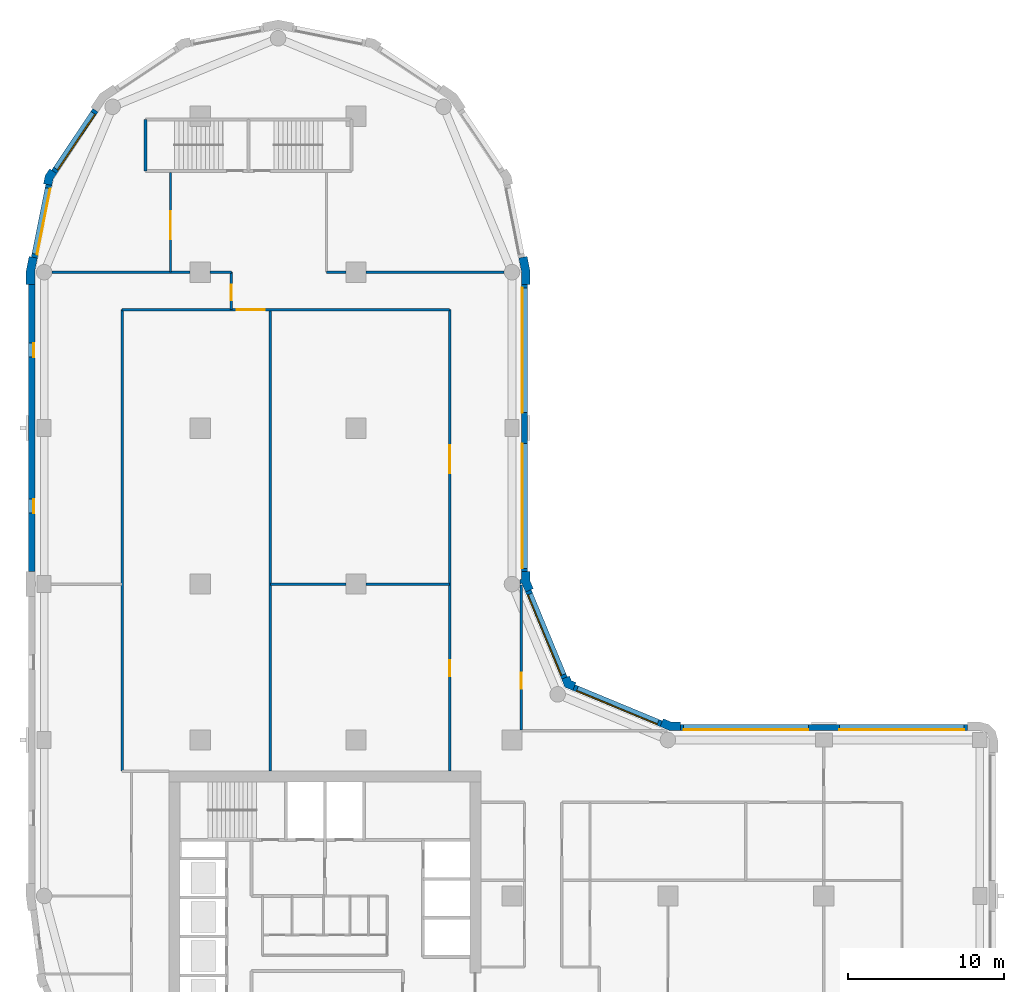
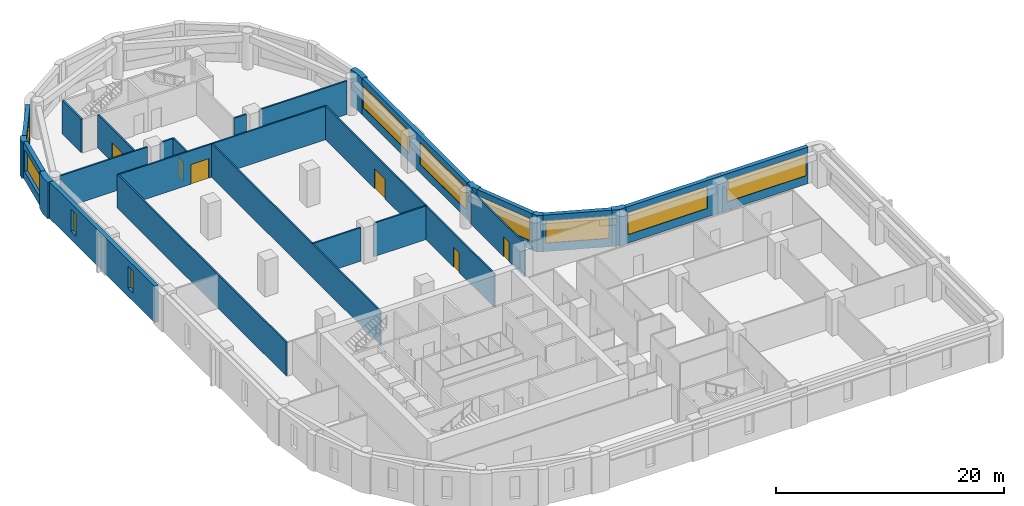
# One storey, part 6 of 10: 27 walls, 10 windows, 6 doors, 16 openings.
"""IFC4 building model written with IfcOpenShell, lengths in metres."""

from ifc_helpers import new_model, si_unit, direction, frame, frame_2d, origin, place, context, subcontext, project, spatial, polyline, rectangle, outline, extrude, material, layer, layer_set, type_object, element, fill, save


model = new_model("IFC4")

# Units and contexts
model_context = context("Model", 3, precision=1e-05, world=origin(), true_north=direction((0.0, 1.0)))
body_context = subcontext(model_context, "Body", "Model", "MODEL_VIEW")
ifc_project = project(units=[si_unit("LENGTHUNIT", "METRE"), si_unit("AREAUNIT", "SQUARE_METRE"), si_unit("VOLUMEUNIT", "CUBIC_METRE"), si_unit("PLANEANGLEUNIT", "RADIAN"), si_unit("MASSUNIT", "GRAM", prefix="KILO")], contexts=[model_context])

# Site, building, storey
site_placement = place(None, origin())
site = spatial("IfcSite", under=ifc_project, at=site_placement, CompositionType="ELEMENT")
building_placement = place(site_placement, origin())
building = spatial("IfcBuilding", under=site, at=building_placement, Name="Qaws Garden Tower", CompositionType="ELEMENT")
storey_placement = place(building_placement, frame((0.0, 0.0, 186.300048828125)))
storey = spatial("IfcBuildingStorey", under=building, at=storey_placement, Name="L45", CompositionType="ELEMENT", Elevation=186.300048828125)

# Wall, openings, windows
ifc_material_1 = material(Name="Clay facing brick masonry", Category="masonry")
ifc_layer_1 = layer(ifc_material_1, 0.39990234375)
ifc_layer_set_1 = layer_set([ifc_layer_1], Name="Clay facing brick masonry")
wall_type_1 = type_object("IfcWallType", Name="Brick infill wall 400", PredefinedType="SOLIDWALL", material=ifc_layer_set_1)
wall_1_placement = place(storey_placement, frame((59.199951171875, 30.800048828125, 0.0), z_axis=(0.0, 0.0, 1.0), x_axis=(-1.0, 0.0, 0.0)))
wall_1 = element("IfcWall", 1, at=wall_1_placement, inside=storey, type_object=wall_type_1, Name="E-L45-infill-07", PredefinedType="SOLIDWALL", context=body_context, shape_type="SweptSolid", body=[
    extrude(rectangle(XDim=18.39990234375, YDim=0.39990234375, at=frame_2d((9.199951171875, 0.0))), origin(), (0.0, 0.0, 1.0), 3.89990234375),
])
opening_1_placement = place(wall_1_placement, frame((0.199951171875, 0.0, 0.89990234375)))
opening_1 = element("IfcOpeningElement", 2, at=opening_1_placement, cuts=wall_1, Name="Opening W01", PredefinedType="OPENING", context=body_context, shape_type="SweptSolid", body=[
    extrude(rectangle(XDim=8.0, YDim=2.35009765625, at=frame_2d((4.0, 1.175048828125))), frame((0.0, 0.2099609375, 0.0), z_axis=(0.0, -1.0, 0.0), x_axis=(1.0, 0.0, 0.0)), (0.0, 0.0, 1.0), 0.419921875),
])
opening_2_placement = place(wall_1_placement, frame((10.199951171875, 0.0, 0.89990234375)))
opening_2 = element("IfcOpeningElement", 3, at=opening_2_placement, cuts=wall_1, Name="Opening W01", PredefinedType="OPENING", context=body_context, shape_type="SweptSolid", body=[
    extrude(rectangle(XDim=8.0, YDim=2.35009765625, at=frame_2d((4.0, 1.175048828125))), frame((0.0, 0.2099609375, 0.0), z_axis=(0.0, -1.0, 0.0), x_axis=(1.0, 0.0, 0.0)), (0.0, 0.0, 1.0), 0.419921875),
])
ifc_material_2 = material(Name="Aluminium framed window, clear glazing", Category="aluminium")
window_type_1 = type_object("IfcWindowType", Name="Ribbon window 8000 x 2350", PartitioningType="DOUBLE_PANEL_VERTICAL", PredefinedType="WINDOW", material=ifc_material_2)
window_1_placement = place(opening_1_placement, origin())
window_1 = element("IfcWindow", 4, at=window_1_placement, inside=storey, type_object=window_type_1, Name="E-L45-window-07-0", OverallHeight=2.35009765625, OverallWidth=8.0, PartitioningType="SINGLE_PANEL", PredefinedType="WINDOW", context=body_context, shape_type="SweptSolid", body=[
    extrude(rectangle(XDim=8.0, YDim=2.35009765625, at=frame_2d((4.0, 1.175048828125))), frame((0.0, 0.159912109375, 0.0), z_axis=(0.0, -1.0, 0.0), x_axis=(1.0, 0.0, 0.0)), (0.0, 0.0, 1.0), 0.06005859375),
])
fill(opening_1, window_1)
window_2_placement = place(opening_2_placement, origin())
window_2 = element("IfcWindow", 5, at=window_2_placement, inside=storey, type_object=window_type_1, Name="E-L45-window-08-0", OverallHeight=2.35009765625, OverallWidth=8.0, PartitioningType="SINGLE_PANEL", PredefinedType="WINDOW", context=body_context, shape_type="SweptSolid", body=[
    extrude(rectangle(XDim=8.0, YDim=2.35009765625, at=frame_2d((4.0, 1.175048828125))), frame((0.0, 0.159912109375, 0.0), z_axis=(0.0, -1.0, 0.0), x_axis=(1.0, 0.0, 0.0)), (0.0, 0.0, 1.0), 0.06005859375),
])
fill(opening_2, window_2)

# Wall, opening, window
wall_2_placement = place(storey_placement, frame((39.56689453125, 31.04541015625, 0.0), z_axis=(0.0, 0.0, 1.0), x_axis=(-0.923891000409, 0.382655745237, 0.0)))
wall_2 = element("IfcWall", 6, at=wall_2_placement, inside=storey, type_object=wall_type_1, Name="E-L45-infill-09", PredefinedType="SOLIDWALL", context=body_context, shape_type="SweptSolid", body=[
    extrude(rectangle(XDim=6.053466796875, YDim=0.39990234375, at=frame_2d((3.02685546875, 0.0))), origin(), (0.0, 0.0, 1.0), 3.89990234375),
])
opening_3_placement = place(wall_2_placement, frame((0.226806640625, 0.0, 0.89990234375)))
opening_3 = element("IfcOpeningElement", 7, at=opening_3_placement, cuts=wall_2, Name="Opening W04", PredefinedType="OPENING", context=body_context, shape_type="SweptSolid", body=[
    extrude(rectangle(XDim=5.60009765625, YDim=2.35009765625, at=frame_2d((2.800048828125, 1.175048828125))), frame((0.0, 0.2099609375, 0.0), z_axis=(0.0, -1.0, 0.0), x_axis=(1.0, 0.0, 0.0)), (0.0, 0.0, 1.0), 0.419921875),
])
ifc_material_3 = material(Name="Aluminium framed window, clear glazing", Category="aluminium")
window_type_2 = type_object("IfcWindowType", Name="Ribbon window 5600 x 2350", PartitioningType="DOUBLE_PANEL_VERTICAL", PredefinedType="WINDOW", material=ifc_material_3)
window_3_placement = place(opening_3_placement, origin())
window_3 = element("IfcWindow", 8, at=window_3_placement, inside=storey, type_object=window_type_2, Name="E-L45-window-09-0", OverallHeight=2.35009765625, OverallWidth=5.60009765625, PartitioningType="SINGLE_PANEL", PredefinedType="WINDOW", context=body_context, shape_type="SweptSolid", body=[
    extrude(rectangle(XDim=5.60009765625, YDim=2.35009765625, at=frame_2d((2.800048828125, 1.175048828125))), frame((0.0, 0.159912109375, 0.0), z_axis=(0.0, -1.0, 0.0), x_axis=(1.0, 0.0, 0.0)), (0.0, 0.0, 1.0), 0.06005859375),
])
fill(opening_3, window_3)

wall_3_placement = place(storey_placement, frame((33.36181640625, 33.97412109375, 0.0), z_axis=(0.0, 0.0, 1.0), x_axis=(-0.382655745237, 0.923891000409, 0.0)))
wall_3 = element("IfcWall", 9, at=wall_3_placement, inside=storey, type_object=wall_type_1, Name="E-L45-infill-10", PredefinedType="SOLIDWALL", context=body_context, shape_type="SweptSolid", body=[
    extrude(rectangle(XDim=6.053466796875, YDim=0.39990234375, at=frame_2d((3.02685546875, 0.0))), origin(), (0.0, 0.0, 1.0), 3.89990234375),
])
opening_4_placement = place(wall_3_placement, frame((0.226806640625, 0.0, 0.89990234375)))
opening_4 = element("IfcOpeningElement", 10, at=opening_4_placement, cuts=wall_3, Name="Opening W04", PredefinedType="OPENING", context=body_context, shape_type="SweptSolid", body=[
    extrude(rectangle(XDim=5.60009765625, YDim=2.35009765625, at=frame_2d((2.800048828125, 1.175048828125))), frame((0.0, 0.2099609375, 0.0), z_axis=(0.0, -1.0, 0.0), x_axis=(1.0, 0.0, 0.0)), (0.0, 0.0, 1.0), 0.419921875),
])
window_4_placement = place(opening_4_placement, origin())
window_4 = element("IfcWindow", 11, at=window_4_placement, inside=storey, type_object=window_type_2, Name="E-L45-window-10-0", OverallHeight=2.35009765625, OverallWidth=5.60009765625, PartitioningType="SINGLE_PANEL", PredefinedType="WINDOW", context=body_context, shape_type="SweptSolid", body=[
    extrude(rectangle(XDim=5.60009765625, YDim=2.35009765625, at=frame_2d((2.800048828125, 1.175048828125))), frame((0.0, 0.159912109375, 0.0), z_axis=(0.0, -1.0, 0.0), x_axis=(1.0, 0.0, 0.0)), (0.0, 0.0, 1.0), 0.06005859375),
])
fill(opening_4, window_4)

# Wall, openings, windows
wall_4_placement = place(storey_placement, frame((30.800048828125, 40.800048828125, 0.0), z_axis=(0.0, 0.0, 1.0), x_axis=(0.0, 1.0, 0.0)))
wall_4 = element("IfcWall", 12, at=wall_4_placement, inside=storey, type_object=wall_type_1, Name="E-L45-infill-11", PredefinedType="SOLIDWALL", context=body_context, shape_type="SweptSolid", body=[
    extrude(rectangle(XDim=18.39990234375, YDim=0.39990234375, at=frame_2d((9.199951171875, 0.0))), origin(), (0.0, 0.0, 1.0), 3.89990234375),
])
opening_5_placement = place(wall_4_placement, frame((0.199951171875, 0.0, 0.89990234375)))
opening_5 = element("IfcOpeningElement", 13, at=opening_5_placement, cuts=wall_4, Name="Opening W01", PredefinedType="OPENING", context=body_context, shape_type="SweptSolid", body=[
    extrude(rectangle(XDim=8.0, YDim=2.35009765625, at=frame_2d((4.0, 1.175048828125))), frame((0.0, 0.2099609375, 0.0), z_axis=(0.0, -1.0, 0.0), x_axis=(1.0, 0.0, 0.0)), (0.0, 0.0, 1.0), 0.419921875),
])
opening_6_placement = place(wall_4_placement, frame((10.199951171875, 0.0, 0.89990234375)))
opening_6 = element("IfcOpeningElement", 14, at=opening_6_placement, cuts=wall_4, Name="Opening W01", PredefinedType="OPENING", context=body_context, shape_type="SweptSolid", body=[
    extrude(rectangle(XDim=8.0, YDim=2.35009765625, at=frame_2d((4.0, 1.175048828125))), frame((0.0, 0.2099609375, 0.0), z_axis=(0.0, -1.0, 0.0), x_axis=(1.0, 0.0, 0.0)), (0.0, 0.0, 1.0), 0.419921875),
])
window_5_placement = place(opening_5_placement, origin())
window_5 = element("IfcWindow", 15, at=window_5_placement, inside=storey, type_object=window_type_1, Name="E-L45-window-11-0", OverallHeight=2.35009765625, OverallWidth=8.0, PartitioningType="SINGLE_PANEL", PredefinedType="WINDOW", context=body_context, shape_type="SweptSolid", body=[
    extrude(rectangle(XDim=8.0, YDim=2.35009765625, at=frame_2d((4.0, 1.175048828125))), frame((0.0, 0.159912109375, 0.0), z_axis=(0.0, -1.0, 0.0), x_axis=(1.0, 0.0, 0.0)), (0.0, 0.0, 1.0), 0.06005859375),
])
fill(opening_5, window_5)
window_6_placement = place(opening_6_placement, origin())
window_6 = element("IfcWindow", 16, at=window_6_placement, inside=storey, type_object=window_type_1, Name="E-L45-window-12-0", OverallHeight=2.35009765625, OverallWidth=8.0, PartitioningType="SINGLE_PANEL", PredefinedType="WINDOW", context=body_context, shape_type="SweptSolid", body=[
    extrude(rectangle(XDim=8.0, YDim=2.35009765625, at=frame_2d((4.0, 1.175048828125))), frame((0.0, 0.159912109375, 0.0), z_axis=(0.0, -1.0, 0.0), x_axis=(1.0, 0.0, 0.0)), (0.0, 0.0, 1.0), 0.06005859375),
])
fill(opening_6, window_6)

# Wall, opening, window
wall_5_placement = place(storey_placement, frame((3.28369140625, 70.385986328125, 0.0), z_axis=(0.0, 0.0, 1.0), x_axis=(-0.555541552266, -0.831488775454, 0.0)))
wall_5 = element("IfcWall", 17, at=wall_5_placement, inside=storey, type_object=wall_type_1, Name="E-L45-infill-19", PredefinedType="SOLIDWALL", context=body_context, shape_type="SweptSolid", body=[
    extrude(rectangle(XDim=4.752685546875, YDim=0.39990234375, at=frame_2d((2.37646484375, 0.0))), origin(), (0.0, 0.0, 1.0), 3.89990234375),
])
opening_7_placement = place(wall_5_placement, frame((0.226318359375, 0.0, 0.89990234375)))
opening_7 = element("IfcOpeningElement", 18, at=opening_7_placement, cuts=wall_5, Name="Opening W06", PredefinedType="OPENING", context=body_context, shape_type="SweptSolid", body=[
    extrude(rectangle(XDim=4.300048828125, YDim=2.35009765625, at=frame_2d((2.14990234375, 1.175048828125))), frame((0.0, 0.2099609375, 0.0), z_axis=(0.0, -1.0, 0.0), x_axis=(1.0, 0.0, 0.0)), (0.0, 0.0, 1.0), 0.419921875),
])
ifc_material_4 = material(Name="Aluminium framed window, clear glazing", Category="aluminium")
window_type_3 = type_object("IfcWindowType", Name="Ribbon window 4300 x 2350", PartitioningType="DOUBLE_PANEL_VERTICAL", PredefinedType="WINDOW", material=ifc_material_4)
window_7_placement = place(opening_7_placement, origin())
window_7 = element("IfcWindow", 19, at=window_7_placement, inside=storey, type_object=window_type_3, Name="E-L45-window-19-0", OverallHeight=2.35009765625, OverallWidth=4.300048828125, PartitioningType="SINGLE_PANEL", PredefinedType="WINDOW", context=body_context, shape_type="SweptSolid", body=[
    extrude(rectangle(XDim=4.300048828125, YDim=2.35009765625, at=frame_2d((2.14990234375, 1.175048828125))), frame((0.0, 0.159912109375, 0.0), z_axis=(0.0, -1.0, 0.0), x_axis=(1.0, 0.0, 0.0)), (0.0, 0.0, 1.0), 0.06005859375),
])
fill(opening_7, window_7)

wall_6_placement = place(storey_placement, frame((0.298583984375, 65.60205078125, 0.0), z_axis=(0.0, 0.0, 1.0), x_axis=(-0.195098533057, -0.98078364709, 0.0)))
wall_6 = element("IfcWall", 20, at=wall_6_placement, inside=storey, type_object=wall_type_1, Name="E-L45-infill-20", PredefinedType="SOLIDWALL", context=body_context, shape_type="SweptSolid", body=[
    extrude(rectangle(XDim=4.752685546875, YDim=0.39990234375, at=frame_2d((2.37646484375, 0.0))), origin(), (0.0, 0.0, 1.0), 3.89990234375),
])
opening_8_placement = place(wall_6_placement, frame((0.226318359375, 0.0, 0.89990234375)))
opening_8 = element("IfcOpeningElement", 21, at=opening_8_placement, cuts=wall_6, Name="Opening W06", PredefinedType="OPENING", context=body_context, shape_type="SweptSolid", body=[
    extrude(rectangle(XDim=4.300048828125, YDim=2.35009765625, at=frame_2d((2.14990234375, 1.175048828125))), frame((0.0, 0.2099609375, 0.0), z_axis=(0.0, -1.0, 0.0), x_axis=(1.0, 0.0, 0.0)), (0.0, 0.0, 1.0), 0.419921875),
])
window_8_placement = place(opening_8_placement, origin())
window_8 = element("IfcWindow", 22, at=window_8_placement, inside=storey, type_object=window_type_3, Name="E-L45-window-20-0", OverallHeight=2.35009765625, OverallWidth=4.300048828125, PartitioningType="SINGLE_PANEL", PredefinedType="WINDOW", context=body_context, shape_type="SweptSolid", body=[
    extrude(rectangle(XDim=4.300048828125, YDim=2.35009765625, at=frame_2d((2.14990234375, 1.175048828125))), frame((0.0, 0.159912109375, 0.0), z_axis=(0.0, -1.0, 0.0), x_axis=(1.0, 0.0, 0.0)), (0.0, 0.0, 1.0), 0.06005859375),
])
fill(opening_8, window_8)

# Wall, openings, windows
wall_7_placement = place(storey_placement, frame((-0.800048828125, 59.199951171875, 0.0), z_axis=(0.0, 0.0, 1.0), x_axis=(0.0, -1.0, 0.0)))
wall_7 = element("IfcWall", 23, at=wall_7_placement, inside=storey, type_object=wall_type_1, Name="E-L45-infill-21", PredefinedType="SOLIDWALL", context=body_context, shape_type="SweptSolid", body=[
    extrude(rectangle(XDim=18.39990234375, YDim=0.39990234375, at=frame_2d((9.199951171875, 0.0))), origin(), (0.0, 0.0, 1.0), 3.89990234375),
])
opening_9_placement = place(wall_7_placement, frame((3.75, 0.0, 0.89990234375)))
opening_9 = element("IfcOpeningElement", 24, at=opening_9_placement, cuts=wall_7, Name="Opening W09", PredefinedType="OPENING", context=body_context, shape_type="SweptSolid", body=[
    extrude(rectangle(XDim=0.89990234375, YDim=2.35009765625, at=frame_2d((0.449951171875, 1.175048828125))), frame((0.0, 0.2099609375, 0.0), z_axis=(0.0, -1.0, 0.0), x_axis=(1.0, 0.0, 0.0)), (0.0, 0.0, 1.0), 0.419921875),
])
opening_10_placement = place(wall_7_placement, frame((13.75, 0.0, 0.89990234375)))
opening_10 = element("IfcOpeningElement", 25, at=opening_10_placement, cuts=wall_7, Name="Opening W09", PredefinedType="OPENING", context=body_context, shape_type="SweptSolid", body=[
    extrude(rectangle(XDim=0.89990234375, YDim=2.35009765625, at=frame_2d((0.449951171875, 1.175048828125))), frame((0.0, 0.2099609375, 0.0), z_axis=(0.0, -1.0, 0.0), x_axis=(1.0, 0.0, 0.0)), (0.0, 0.0, 1.0), 0.419921875),
])
ifc_material_5 = material(Name="Aluminium framed window, clear glazing", Category="aluminium")
window_type_4 = type_object("IfcWindowType", Name="Slit window 900 x 2350", PartitioningType="SINGLE_PANEL", PredefinedType="WINDOW", material=ifc_material_5)
window_9_placement = place(opening_9_placement, origin())
window_9 = element("IfcWindow", 26, at=window_9_placement, inside=storey, type_object=window_type_4, Name="E-L45-window-21-0", OverallHeight=2.35009765625, OverallWidth=0.89990234375, PartitioningType="SINGLE_PANEL", PredefinedType="WINDOW", context=body_context, shape_type="SweptSolid", body=[
    extrude(rectangle(XDim=0.89990234375, YDim=2.35009765625, at=frame_2d((0.449951171875, 1.175048828125))), frame((0.0, 0.159912109375, 0.0), z_axis=(0.0, -1.0, 0.0), x_axis=(1.0, 0.0, 0.0)), (0.0, 0.0, 1.0), 0.06005859375),
])
fill(opening_9, window_9)
window_10_placement = place(opening_10_placement, origin())
window_10 = element("IfcWindow", 27, at=window_10_placement, inside=storey, type_object=window_type_4, Name="E-L45-window-22-0", OverallHeight=2.35009765625, OverallWidth=0.89990234375, PartitioningType="SINGLE_PANEL", PredefinedType="WINDOW", context=body_context, shape_type="SweptSolid", body=[
    extrude(rectangle(XDim=0.89990234375, YDim=2.35009765625, at=frame_2d((0.449951171875, 1.175048828125))), frame((0.0, 0.159912109375, 0.0), z_axis=(0.0, -1.0, 0.0), x_axis=(1.0, 0.0, 0.0)), (0.0, 0.0, 1.0), 0.06005859375),
])
fill(opening_10, window_10)

# Walls
ifc_material_6 = material(Name="Clay facing brick masonry", Category="masonry")
ifc_layer_2 = layer(ifc_material_6, 0.550048828125)
ifc_layer_set_2 = layer_set([ifc_layer_2], Name="Clay facing brick masonry")
wall_type_2 = type_object("IfcWallType", Name="Brick kink pier 550 x 600", PredefinedType="SOLIDWALL", material=ifc_layer_set_2)
placement = place(storey_placement, origin())
element("IfcWall", 28, at=placement, inside=storey, type_object=wall_type_2, Name="E-L45-pier-20", PredefinedType="SOLIDWALL", context=body_context, shape_type="SweptSolid", body=[
    extrude(outline(polyline([(0.47705078125, 66.545166015625), (0.352294921875, 66.628662109375), (0.05859375, 66.18896484375), (-0.044677734375, 65.67041015625), (0.1025390625, 65.64111328125), (0.494873046875, 65.56298828125), (0.57666015625, 65.974365234375), (0.8095703125, 66.322998046875), (0.47705078125, 66.545166015625)])), origin(), (0.0, 0.0, 1.0), 3.89990234375),
])
ifc_material_7 = material(Name="Clay facing brick masonry", Category="masonry")
ifc_layer_3 = layer(ifc_material_7, 0.550048828125)
ifc_layer_set_3 = layer_set([ifc_layer_3], Name="Clay facing brick masonry")
wall_type_3 = type_object("IfcWallType", Name="Brick pier 550 x 1600", PredefinedType="SOLIDWALL", material=ifc_layer_set_3)
element("IfcWall", 29, at=placement, inside=storey, type_object=wall_type_3, Name="E-L45-pier-09", PredefinedType="SOLIDWALL", context=body_context, shape_type="SweptSolid", body=[
    extrude(outline(polyline([(40.800048828125, 31.0), (40.800048828125, 31.14990234375), (40.228759765625, 31.14990234375), (39.700927734375, 31.36865234375), (39.6435546875, 31.22998046875), (39.490478515625, 30.860595703125), (40.119384765625, 30.60009765625), (40.800048828125, 30.60009765625), (40.800048828125, 31.0)])), origin(), (0.0, 0.0, 1.0), 3.89990234375),
])
element("IfcWall", 30, at=placement, inside=storey, type_object=wall_type_3, Name="E-L45-pier-10", PredefinedType="SOLIDWALL", context=body_context, shape_type="SweptSolid", body=[
    extrude(outline(polyline([(34.05078125, 33.546630859375), (34.108154296875, 33.685302734375), (33.80908203125, 33.80908203125), (33.685302734375, 34.108154296875), (33.546630859375, 34.05078125), (33.177001953125, 33.897705078125), (33.38818359375, 33.38818359375), (33.897705078125, 33.177001953125), (34.05078125, 33.546630859375)])), origin(), (0.0, 0.0, 1.0), 3.89990234375),
])
element("IfcWall", 31, at=placement, inside=storey, type_object=wall_type_3, Name="E-L45-pier-11", PredefinedType="SOLIDWALL", context=body_context, shape_type="SweptSolid", body=[
    extrude(outline(polyline([(30.6201171875, 39.995361328125), (30.6201171875, 40.071044921875), (30.860595703125, 39.490478515625), (31.22998046875, 39.6435546875), (31.36865234375, 39.700927734375), (31.14990234375, 40.228759765625), (31.14990234375, 40.800048828125), (31.0, 40.800048828125), (30.60009765625, 40.800048828125), (30.60009765625, 40.29541015625), (30.5, 40.29541015625), (30.5, 39.995361328125), (30.6201171875, 39.995361328125)])), origin(), (0.0, 0.0, 1.0), 3.89990234375),
])
element("IfcWall", 32, at=placement, inside=storey, type_object=wall_type_3, Name="E-L45-pier-13", PredefinedType="SOLIDWALL", context=body_context, shape_type="SweptSolid", body=[
    extrude(outline(polyline([(31.0, 59.199951171875), (31.14990234375, 59.199951171875), (31.14990234375, 60.11328125), (30.971923828125, 61.009033203125), (30.82470703125, 60.979736328125), (30.432373046875, 60.901611328125), (30.60009765625, 60.05908203125), (30.60009765625, 59.199951171875), (31.0, 59.199951171875)])), origin(), (0.0, 0.0, 1.0), 3.89990234375),
])
element("IfcWall", 33, at=placement, inside=storey, type_object=wall_type_3, Name="E-L45-pier-21", PredefinedType="SOLIDWALL", context=body_context, shape_type="SweptSolid", body=[
    extrude(outline(polyline([(-0.82470703125, 60.979736328125), (-0.971923828125, 61.009033203125), (-1.14990234375, 60.11328125), (-1.14990234375, 59.199951171875), (-1.0, 59.199951171875), (-0.60009765625, 59.199951171875), (-0.60009765625, 60.05908203125), (-0.432373046875, 60.901611328125), (-0.82470703125, 60.979736328125)])), origin(), (0.0, 0.0, 1.0), 3.89990234375),
])
ifc_material_8 = material(Name="Concrete C70", Category="concrete")
ifc_layer_4 = layer(ifc_material_8, 0.199951171875)
ifc_layer_set_4 = layer_set([ifc_layer_4], Name="Concrete C70")
wall_type_4 = type_object("IfcWallType", Name="Core shaft wall 200 C70", PredefinedType="SHEAR", material=ifc_layer_set_4)
wall_14_placement = place(storey_placement, frame((6.5, 66.5, 0.0), z_axis=(0.0, 0.0, 1.0), x_axis=(0.0, 1.0, 0.0)))
element("IfcWall", 34, at=wall_14_placement, inside=storey, type_object=wall_type_4, Name="Shaft wall", PredefinedType="SHEAR", context=body_context, shape_type="SweptSolid", body=[
    extrude(rectangle(XDim=3.300048828125, YDim=0.199951171875, at=frame_2d((1.64990234375, 0.0))), origin(), (0.0, 0.0, 1.0), 3.579833984375),
])
ifc_material_9 = material(Name="Gypsum board partition")
ifc_layer_5 = layer(ifc_material_9, 0.14990234375)
ifc_layer_set_5 = layer_set([ifc_layer_5], Name="Gypsum board partition")
wall_type_5 = type_object("IfcWallType", Name="PARTITION 150 EI 60", PredefinedType="PARTITIONING", material=ifc_layer_set_5)
wall_15_placement = place(storey_placement, frame((5.0, 28.0, 0.0), z_axis=(0.0, 0.0, 1.0), x_axis=(0.0, 1.0, 0.0)))
element("IfcWall", 35, at=wall_15_placement, inside=storey, type_object=wall_type_5, Name="O-L45-wall-008", PredefinedType="PARTITIONING", context=body_context, shape_type="SweptSolid", body=[
    extrude(rectangle(XDim=29.60009765625, YDim=0.14990234375, at=frame_2d((14.800048828125, 0.0))), origin(), (0.0, 0.0, 1.0), 3.579833984375),
])

# Wall, opening, door
wall_16_placement = place(storey_placement, frame((8.10009765625, 60.0, 0.0), z_axis=(0.0, 0.0, 1.0), x_axis=(0.0, 1.0, 0.0)))
wall_16 = element("IfcWall", 36, at=wall_16_placement, inside=storey, type_object=wall_type_5, Name="O-L45-wall-010", PredefinedType="PARTITIONING", context=body_context, shape_type="SweptSolid", body=[
    extrude(rectangle(XDim=6.39990234375, YDim=0.14990234375, at=frame_2d((3.199951171875, 0.0))), origin(), (0.0, 0.0, 1.0), 3.579833984375),
])
opening_11_placement = place(wall_16_placement, frame((2.10009765625, 0.0, 0.0)))
opening_11 = element("IfcOpeningElement", 37, at=opening_11_placement, cuts=wall_16, Name="Opening B513", PredefinedType="OPENING", context=body_context, shape_type="SweptSolid", body=[
    extrude(rectangle(XDim=1.800048828125, YDim=2.10009765625, at=frame_2d((0.89990234375, 1.050048828125))), frame((0.0, 0.0849609375, 0.0), z_axis=(0.0, -1.0, 0.0), x_axis=(1.0, 0.0, 0.0)), (0.0, 0.0, 1.0), 0.169921875),
])
ifc_material_10 = material(Name="Timber door leaf", Category="wood")
door_type_1 = type_object("IfcDoorType", Name="DOUBLE DOOR 1800 X 2100", OperationType="DOUBLE_DOOR_SINGLE_SWING", PredefinedType="DOOR", material=ifc_material_10)
door_1_placement = place(opening_11_placement, origin())
door_1 = element("IfcDoor", 38, at=door_1_placement, inside=storey, type_object=door_type_1, Name="O-L45-door-013", OperationType="DOUBLE_DOOR_SINGLE_SWING", OverallHeight=2.10009765625, OverallWidth=1.800048828125, PredefinedType="DOOR", context=body_context, shape_type="SweptSolid", body=[
    extrude(rectangle(XDim=1.800048828125, YDim=2.10009765625, at=frame_2d((0.89990234375, 1.050048828125))), frame((0.0, 0.02490234375, 0.0), z_axis=(0.0, -1.0, 0.0), x_axis=(1.0, 0.0, 0.0)), (0.0, 0.0, 1.0), 0.050048828125),
])
fill(opening_11, door_1)

wall_17_placement = place(storey_placement, frame((12.0, 57.60009765625, 0.0), z_axis=(0.0, 0.0, 1.0), x_axis=(0.0, 1.0, 0.0)))
wall_17 = element("IfcWall", 39, at=wall_17_placement, inside=storey, type_object=wall_type_5, Name="O-L45-wall-011", PredefinedType="PARTITIONING", context=body_context, shape_type="SweptSolid", body=[
    extrude(rectangle(XDim=2.39990234375, YDim=0.14990234375, at=frame_2d((1.199951171875, 0.0))), origin(), (0.0, 0.0, 1.0), 3.579833984375),
])
opening_12_placement = place(wall_17_placement, frame((0.60009765625, 0.0, 0.0)))
opening_12 = element("IfcOpeningElement", 40, at=opening_12_placement, cuts=wall_17, Name="Opening B512", PredefinedType="OPENING", context=body_context, shape_type="SweptSolid", body=[
    extrude(rectangle(XDim=1.0, YDim=2.10009765625, at=frame_2d((0.5, 1.050048828125))), frame((0.0, 0.0849609375, 0.0), z_axis=(0.0, -1.0, 0.0), x_axis=(1.0, 0.0, 0.0)), (0.0, 0.0, 1.0), 0.169921875),
])
ifc_material_11 = material(Name="Timber door leaf", Category="wood")
door_type_2 = type_object("IfcDoorType", Name="TENANCY ENTRANCE DOOR 1000 X 2100", OperationType="SINGLE_SWING_LEFT", PredefinedType="DOOR", material=ifc_material_11)
door_2_placement = place(opening_12_placement, origin())
door_2 = element("IfcDoor", 41, at=door_2_placement, inside=storey, type_object=door_type_2, Name="O-L45-door-012", OperationType="SINGLE_SWING_LEFT", OverallHeight=2.10009765625, OverallWidth=1.0, PredefinedType="DOOR", context=body_context, shape_type="SweptSolid", body=[
    extrude(rectangle(XDim=1.0, YDim=2.10009765625, at=frame_2d((0.5, 1.050048828125))), frame((0.0, 0.02490234375, 0.0), z_axis=(0.0, -1.0, 0.0), x_axis=(1.0, 0.0, 0.0)), (0.0, 0.0, 1.0), 0.050048828125),
])
fill(opening_12, door_2)

# Wall
wall_18_placement = place(storey_placement, frame((14.5, 28.0, 0.0), z_axis=(0.0, 0.0, 1.0), x_axis=(0.0, 1.0, 0.0)))
element("IfcWall", 42, at=wall_18_placement, inside=storey, type_object=wall_type_5, Name="O-L45-wall-012", PredefinedType="PARTITIONING", context=body_context, shape_type="SweptSolid", body=[
    extrude(rectangle(XDim=29.60009765625, YDim=0.14990234375, at=frame_2d((14.800048828125, 0.0))), origin(), (0.0, 0.0, 1.0), 3.579833984375),
])

# Wall, openings, doors
wall_19_placement = place(storey_placement, frame((26.0, 28.0, 0.0), z_axis=(0.0, 0.0, 1.0), x_axis=(0.0, 1.0, 0.0)))
wall_19 = element("IfcWall", 43, at=wall_19_placement, inside=storey, type_object=wall_type_5, Name="O-L45-wall-014", PredefinedType="PARTITIONING", context=body_context, shape_type="SweptSolid", body=[
    extrude(rectangle(XDim=29.60009765625, YDim=0.14990234375, at=frame_2d((14.800048828125, 0.0))), origin(), (0.0, 0.0, 1.0), 3.579833984375),
])
opening_13_placement = place(wall_19_placement, frame((6.10009765625, 0.0, 0.0)))
opening_13 = element("IfcOpeningElement", 44, at=opening_13_placement, cuts=wall_19, Name="Opening B507", PredefinedType="OPENING", context=body_context, shape_type="SweptSolid", body=[
    extrude(rectangle(XDim=1.0, YDim=2.10009765625, at=frame_2d((0.5, 1.050048828125))), frame((0.0, 0.0849609375, 0.0), z_axis=(0.0, -1.0, 0.0), x_axis=(1.0, 0.0, 0.0)), (0.0, 0.0, 1.0), 0.169921875),
])
opening_14_placement = place(wall_19_placement, frame((19.10009765625, 0.0, 0.0)))
opening_14 = element("IfcOpeningElement", 45, at=opening_14_placement, cuts=wall_19, Name="Opening B508", PredefinedType="OPENING", context=body_context, shape_type="SweptSolid", body=[
    extrude(rectangle(XDim=1.800048828125, YDim=2.10009765625, at=frame_2d((0.89990234375, 1.050048828125))), frame((0.0, 0.0849609375, 0.0), z_axis=(0.0, -1.0, 0.0), x_axis=(1.0, 0.0, 0.0)), (0.0, 0.0, 1.0), 0.169921875),
])
door_3_placement = place(opening_14_placement, origin())
door_3 = element("IfcDoor", 46, at=door_3_placement, inside=storey, type_object=door_type_1, Name="O-L45-door-008", OperationType="DOUBLE_DOOR_SINGLE_SWING", OverallHeight=2.10009765625, OverallWidth=1.800048828125, PredefinedType="DOOR", context=body_context, shape_type="SweptSolid", body=[
    extrude(rectangle(XDim=1.800048828125, YDim=2.10009765625, at=frame_2d((0.89990234375, 1.050048828125))), frame((0.0, 0.02490234375, 0.0), z_axis=(0.0, -1.0, 0.0), x_axis=(1.0, 0.0, 0.0)), (0.0, 0.0, 1.0), 0.050048828125),
])
fill(opening_14, door_3)
door_4_placement = place(opening_13_placement, origin())
door_4 = element("IfcDoor", 47, at=door_4_placement, inside=storey, type_object=door_type_2, Name="O-L45-door-007", OperationType="SINGLE_SWING_RIGHT", OverallHeight=2.10009765625, OverallWidth=1.0, PredefinedType="DOOR", context=body_context, shape_type="SweptSolid", body=[
    extrude(rectangle(XDim=1.0, YDim=2.10009765625, at=frame_2d((0.5, 1.050048828125))), frame((0.0, 0.02490234375, 0.0), z_axis=(0.0, -1.0, 0.0), x_axis=(1.0, 0.0, 0.0)), (0.0, 0.0, 1.0), 0.050048828125),
])
fill(opening_13, door_4)

# Wall, opening, door
wall_20_placement = place(storey_placement, frame((30.60009765625, 30.64990234375, 0.0), z_axis=(0.0, 0.0, 1.0), x_axis=(0.0, 1.0, 0.0)))
wall_20 = element("IfcWall", 48, at=wall_20_placement, inside=storey, type_object=wall_type_5, Name="O-L45-wall-015", PredefinedType="PARTITIONING", context=body_context, shape_type="SweptSolid", body=[
    extrude(rectangle(XDim=9.288330078125, YDim=0.14990234375, at=frame_2d((4.64404296875, 0.0))), origin(), (0.0, 0.0, 1.0), 3.579833984375),
])
opening_15_placement = place(wall_20_placement, frame((2.64990234375, 0.0, 0.0)))
opening_15 = element("IfcOpeningElement", 49, at=opening_15_placement, cuts=wall_20, Name="Opening B514", PredefinedType="OPENING", context=body_context, shape_type="SweptSolid", body=[
    extrude(rectangle(XDim=1.0, YDim=2.10009765625, at=frame_2d((0.5, 1.050048828125))), frame((0.0, 0.0849609375, 0.0), z_axis=(0.0, -1.0, 0.0), x_axis=(1.0, 0.0, 0.0)), (0.0, 0.0, 1.0), 0.169921875),
])
door_5_placement = place(opening_15_placement, frame((1.0, 0.0, 0.0), z_axis=(0.0, 0.0, 1.0), x_axis=(-1.0, 0.0, 0.0)))
door_5 = element("IfcDoor", 50, at=door_5_placement, inside=storey, type_object=door_type_2, Name="O-L45-door-014", OperationType="SINGLE_SWING_LEFT", OverallHeight=2.10009765625, OverallWidth=1.0, PredefinedType="DOOR", context=body_context, shape_type="SweptSolid", body=[
    extrude(rectangle(XDim=1.0, YDim=2.10009765625, at=frame_2d((0.5, 1.050048828125))), frame((0.0, 0.02490234375, 0.0), z_axis=(0.0, -1.0, 0.0), x_axis=(1.0, 0.0, 0.0)), (0.0, 0.0, 1.0), 0.050048828125),
])
fill(opening_15, door_5)

# Walls
wall_21_placement = place(storey_placement, frame((14.5, 40.0, 0.0), z_axis=(0.0, 0.0, 1.0), x_axis=(1.0, 0.0, 0.0)))
element("IfcWall", 51, at=wall_21_placement, inside=storey, type_object=wall_type_5, Name="O-L45-wall-047", PredefinedType="PARTITIONING", context=body_context, shape_type="SweptSolid", body=[
    extrude(rectangle(XDim=4.85009765625, YDim=0.14990234375, at=frame_2d((2.425048828125, 0.0))), origin(), (0.0, 0.0, 1.0), 3.579833984375),
])
wall_22_placement = place(storey_placement, frame((20.64990234375, 40.0, 0.0), z_axis=(0.0, 0.0, 1.0), x_axis=(1.0, 0.0, 0.0)))
element("IfcWall", 52, at=wall_22_placement, inside=storey, type_object=wall_type_5, Name="O-L45-wall-048", PredefinedType="PARTITIONING", context=body_context, shape_type="SweptSolid", body=[
    extrude(rectangle(XDim=5.35009765625, YDim=0.14990234375, at=frame_2d((2.675048828125, 0.0))), origin(), (0.0, 0.0, 1.0), 3.579833984375),
])

# Wall, opening, door
wall_23_placement = place(storey_placement, frame((5.0, 57.60009765625, 0.0), z_axis=(0.0, 0.0, 1.0), x_axis=(1.0, 0.0, 0.0)))
wall_23 = element("IfcWall", 53, at=wall_23_placement, inside=storey, type_object=wall_type_5, Name="O-L45-wall-049", PredefinedType="PARTITIONING", context=body_context, shape_type="SweptSolid", body=[
    extrude(rectangle(XDim=21.0, YDim=0.14990234375, at=frame_2d((10.5, 0.0))), origin(), (0.0, 0.0, 1.0), 3.579833984375),
])
opening_16_placement = place(wall_23_placement, frame((7.35009765625, 0.0, 0.0)))
opening_16 = element("IfcOpeningElement", 54, at=opening_16_placement, cuts=wall_23, Name="Opening B510", PredefinedType="OPENING", context=body_context, shape_type="SweptSolid", body=[
    extrude(rectangle(XDim=1.800048828125, YDim=2.10009765625, at=frame_2d((0.89990234375, 1.050048828125))), frame((0.0, 0.0849609375, 0.0), z_axis=(0.0, -1.0, 0.0), x_axis=(1.0, 0.0, 0.0)), (0.0, 0.0, 1.0), 0.169921875),
])
door_6_placement = place(opening_16_placement, frame((1.800048828125, 0.0, 0.0), z_axis=(0.0, 0.0, 1.0), x_axis=(-1.0, 0.0, 0.0)))
door_6 = element("IfcDoor", 55, at=door_6_placement, inside=storey, type_object=door_type_1, Name="O-L45-door-010", OperationType="DOUBLE_DOOR_SINGLE_SWING", OverallHeight=2.10009765625, OverallWidth=1.800048828125, PredefinedType="DOOR", context=body_context, shape_type="SweptSolid", body=[
    extrude(rectangle(XDim=1.800048828125, YDim=2.10009765625, at=frame_2d((0.89990234375, 1.050048828125))), frame((0.0, 0.02490234375, 0.0), z_axis=(0.0, -1.0, 0.0), x_axis=(1.0, 0.0, 0.0)), (0.0, 0.0, 1.0), 0.050048828125),
])
fill(opening_16, door_6)

# Walls
wall_24_placement = place(storey_placement, frame((0.5, 60.0, 0.0), z_axis=(0.0, 0.0, 1.0), x_axis=(1.0, 0.0, 0.0)))
element("IfcWall", 56, at=wall_24_placement, inside=storey, type_object=wall_type_5, Name="O-L45-wall-050", PredefinedType="PARTITIONING", context=body_context, shape_type="SweptSolid", body=[
    extrude(rectangle(XDim=8.85009765625, YDim=0.14990234375, at=frame_2d((4.425048828125, 0.0))), origin(), (0.0, 0.0, 1.0), 3.579833984375),
])
wall_25_placement = place(storey_placement, frame((10.64990234375, 60.0, 0.0), z_axis=(0.0, 0.0, 1.0), x_axis=(1.0, 0.0, 0.0)))
element("IfcWall", 57, at=wall_25_placement, inside=storey, type_object=wall_type_5, Name="O-L45-wall-051", PredefinedType="PARTITIONING", context=body_context, shape_type="SweptSolid", body=[
    extrude(rectangle(XDim=1.35009765625, YDim=0.14990234375, at=frame_2d((0.675048828125, 0.0))), origin(), (0.0, 0.0, 1.0), 3.579833984375),
])
wall_26_placement = place(storey_placement, frame((18.10009765625, 60.0, 0.0), z_axis=(0.0, 0.0, 1.0), x_axis=(1.0, 0.0, 0.0)))
element("IfcWall", 58, at=wall_26_placement, inside=storey, type_object=wall_type_5, Name="O-L45-wall-052", PredefinedType="PARTITIONING", context=body_context, shape_type="SweptSolid", body=[
    extrude(rectangle(XDim=1.25, YDim=0.14990234375, at=frame_2d((0.625, 0.0))), origin(), (0.0, 0.0, 1.0), 3.579833984375),
])
wall_27_placement = place(storey_placement, frame((20.64990234375, 60.0, 0.0), z_axis=(0.0, 0.0, 1.0), x_axis=(1.0, 0.0, 0.0)))
element("IfcWall", 59, at=wall_27_placement, inside=storey, type_object=wall_type_5, Name="O-L45-wall-053", PredefinedType="PARTITIONING", context=body_context, shape_type="SweptSolid", body=[
    extrude(rectangle(XDim=8.85009765625, YDim=0.14990234375, at=frame_2d((4.425048828125, 0.0))), origin(), (0.0, 0.0, 1.0), 3.579833984375),
])

save(model, "model.ifc")
